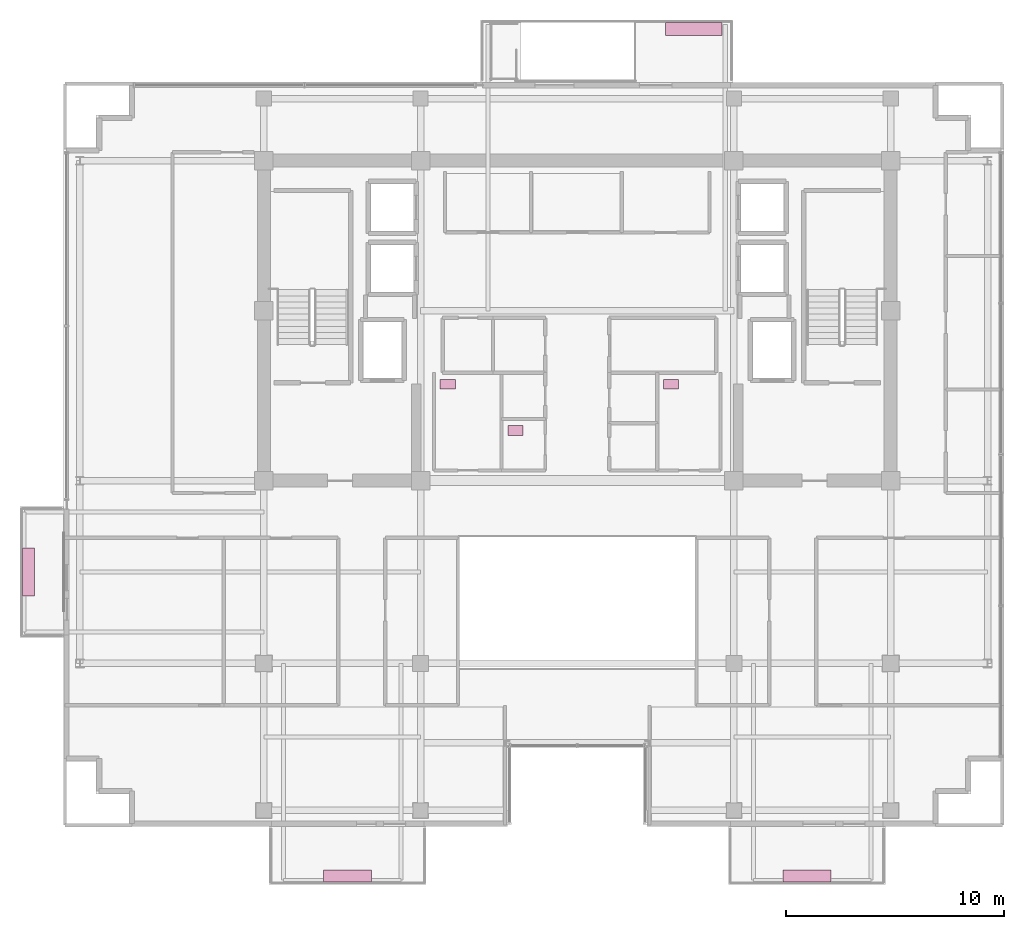
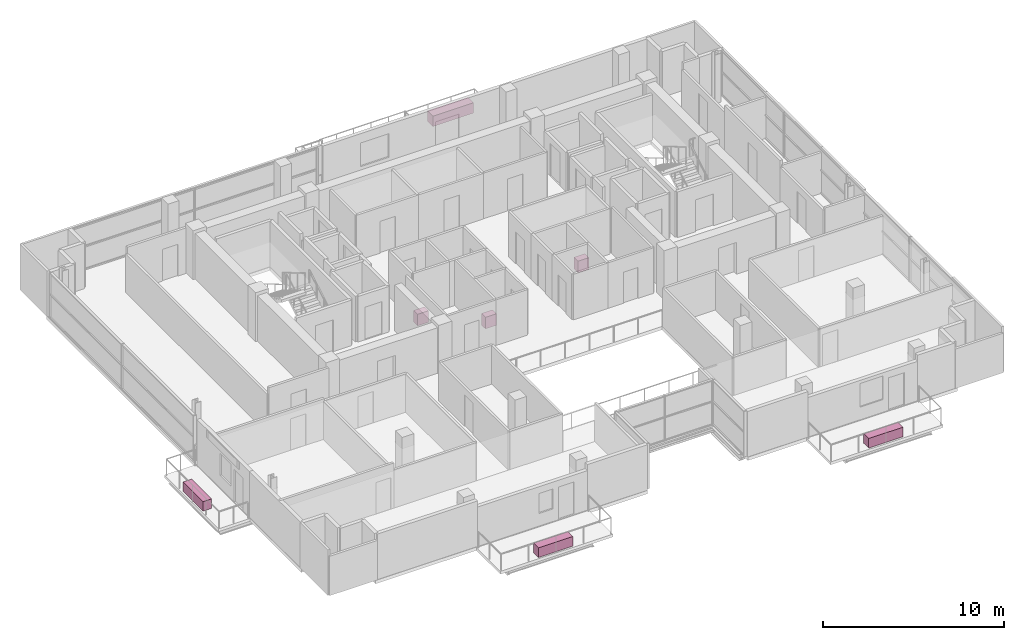
# One storey, part 24 of 24: 7 furnishings.
"""IFC4 building model written with IfcOpenShell, lengths in metres."""

from ifc_helpers import new_model, si_unit, direction, frame, origin, origin_2d, place, context, subcontext, project, spatial, rectangle, extrude, source, transform, mapped, material, type_object, element, save


model = new_model("IFC4")

# Units and contexts
model_context = context("Model", 3, precision=1e-05, world=origin(), true_north=direction((0.0, 1.0)))
body_context = subcontext(model_context, "Body", "Model", "MODEL_VIEW")
ifc_project = project(units=[si_unit("LENGTHUNIT", "METRE"), si_unit("AREAUNIT", "SQUARE_METRE"), si_unit("VOLUMEUNIT", "CUBIC_METRE"), si_unit("PLANEANGLEUNIT", "RADIAN"), si_unit("MASSUNIT", "GRAM", prefix="KILO")], contexts=[model_context])

# Site, building, storey
site_placement = place(None, origin())
site = spatial("IfcSite", under=ifc_project, at=site_placement, CompositionType="ELEMENT")
building_placement = place(site_placement, origin())
building = spatial("IfcBuilding", under=site, at=building_placement, Name="Zarnakvel Exchange Tower", CompositionType="ELEMENT")
storey_placement = place(building_placement, frame((0.0, 0.0, 208.89990234375)))
storey = spatial("IfcBuildingStorey", under=building, at=storey_placement, Name="L58", CompositionType="ELEMENT", Elevation=208.89990234375)

# Furnishings
ifc_material_1 = material(Name="Architectural Bronze Anodised Aluminium", Category="aluminium")
furnishing_element_type_1 = type_object("IfcFurnishingElementType", Name="PLNT-02", material=ifc_material_1)
shared_shape_1 = source(origin(), body_context, "Body", "SweptSolid", [
    extrude(rectangle(XDim=2.60009765625, YDim=0.60009765625, at=origin_2d()), origin(), (0.0, 0.0, 1.0), 0.699951171875),
])
furnishing_placement = place(storey_placement, frame((5.35009765625, 19.5400390625, 0.0), z_axis=(0.0, 0.0, 1.0), x_axis=(1.0, 0.0, 0.0)))
element("IfcFurnishingElement", 1, at=furnishing_placement, inside=storey, type_object=furnishing_element_type_1, Name="L58 Spiral Sky-Terrace Tropical Planter", ObjectType="PLANTER", context=body_context, shape_type="MappedRepresentation", body=[
    mapped(shared_shape_1, transform((0.0, 0.0, 0.0), x_axis=(1.0, 0.0, 0.0), y_axis=(0.0, 1.0, 0.0), z_axis=(0.0, 0.0, 1.0), scale=1.0)),
])
furnishing_element_type_2 = type_object("IfcFurnishingElementType", Name="PLNT-01", material=ifc_material_1)
shared_shape_2 = source(origin(), body_context, "Body", "SweptSolid", [
    extrude(rectangle(XDim=2.199951171875, YDim=0.550048828125, at=origin_2d()), origin(), (0.0, 0.0, 1.0), 0.64990234375),
])
for number, where, z_axis, x_axis, name in (
    (2, (-10.550048828125, -19.3701171875, -0.034912109375), (0.0, 0.0, 1.0), (1.0, 0.0, 0.0), "L58 Balcony Greenery Planter BAL-L58-SW"),
    (3, (10.550048828125, -19.3701171875, -0.034912109375), (0.0, 0.0, 1.0), (1.0, 0.0, 0.0), "L58 Balcony Greenery Planter BAL-L58-SE"),
    (4, (-25.219970703125, -5.39990234375, -0.034912109375), (0.0, 0.0, 1.0), (0.0, 1.0, 0.0), "L58 Balcony Greenery Planter BAL-L58-W"),
):
    element("IfcFurnishingElement", number, at=place(storey_placement, frame(where, z_axis=z_axis, x_axis=x_axis)), inside=storey, type_object=furnishing_element_type_2, Name=name, ObjectType="PLANTER", context=body_context, shape_type="MappedRepresentation", body=[
        mapped(shared_shape_2, transform((0.0, 0.0, 0.0), x_axis=(1.0, 0.0, 0.0), y_axis=(0.0, 1.0, 0.0), z_axis=(0.0, 0.0, 1.0), scale=1.0)),
    ])
ifc_material_2 = material(Name="Vitreous China Sanitaryware", Category="ceramic")
furnishing_element_type_3 = type_object("IfcFurnishingElementType", Name="SAN-WC", material=ifc_material_2)
shared_shape_3 = source(origin(), body_context, "Body", "SweptSolid", [
    extrude(rectangle(XDim=0.699951171875, YDim=0.449951171875, at=origin_2d()), origin(), (0.0, 0.0, 1.0), 0.780029296875),
])
for number, where, z_axis, x_axis, name in (
    (5, (-5.949951171875, 3.22998046875, 0.0), (0.0, 0.0, 1.0), (1.0, 0.0, 0.0), "L58 Sanitary Fixture (Male Toilet)"),
    (6, (-2.840087890625, 1.10009765625, 0.0), (0.0, 0.0, 1.0), (1.0, 0.0, 0.0), "L58 Sanitary Fixture (Accessible Toilet)"),
    (7, (4.31005859375, 3.22998046875, 0.0), (0.0, 0.0, 1.0), (1.0, 0.0, 0.0), "L58 Sanitary Fixture (Female Toilet)"),
):
    element("IfcFurnishingElement", number, at=place(storey_placement, frame(where, z_axis=z_axis, x_axis=x_axis)), inside=storey, type_object=furnishing_element_type_3, Name=name, ObjectType="SANITARY_FIXTURE", context=body_context, shape_type="MappedRepresentation", body=[
        mapped(shared_shape_3, transform((0.0, 0.0, 0.0), x_axis=(1.0, 0.0, 0.0), y_axis=(0.0, 1.0, 0.0), z_axis=(0.0, 0.0, 1.0), scale=1.0)),
    ])

save(model, "model.ifc")
